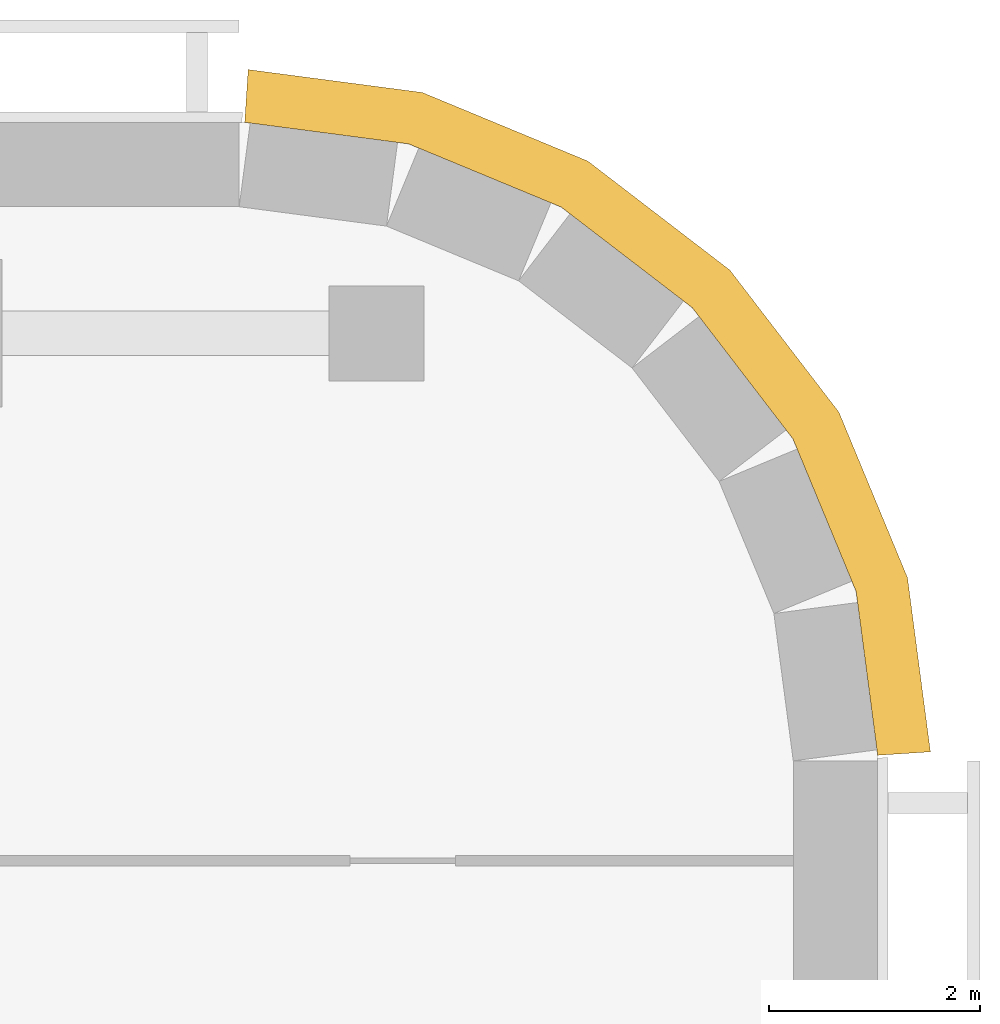
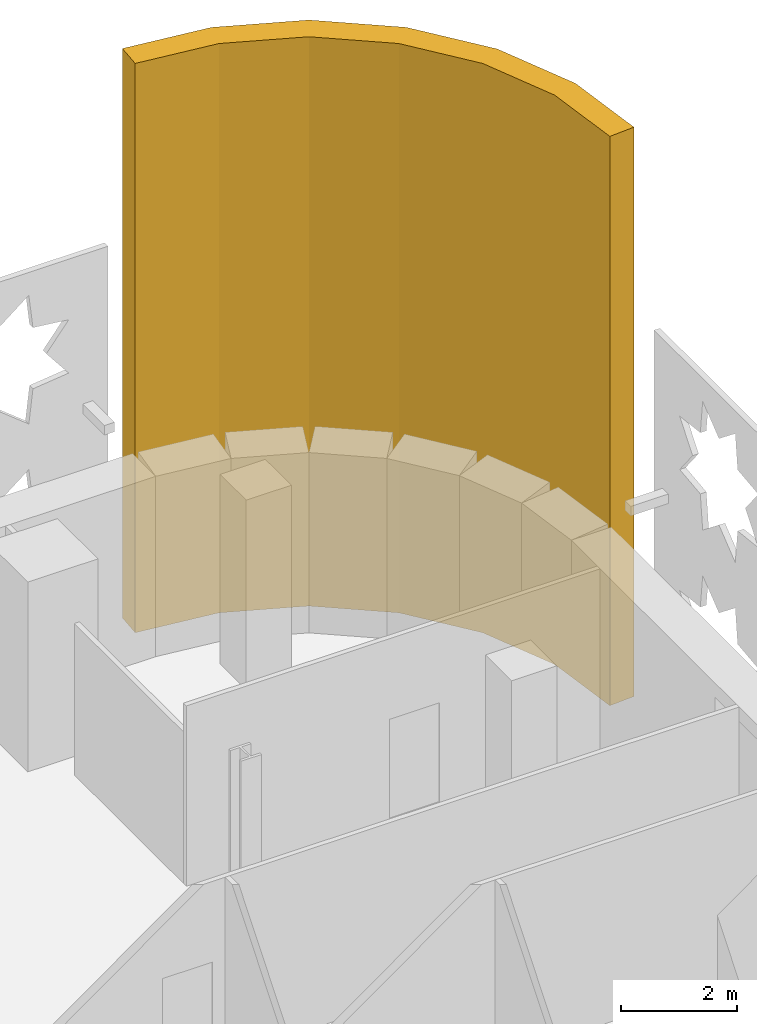
# One storey, part 14 of 14: 1 covering.
"""IFC4 building model written with IfcOpenShell, lengths in metres."""

import ifcopenshell
import ifcopenshell.guid

model = None  # the IFC model being written
_history = None  # IfcOwnerHistory: only IFC2X3 demands one
_inside = {}  # id of a spatial element -> (the spatial element, [elements in it])
_under = {}  # id of a project, library or spatial element -> (it, [spatial elements below it])
_declared = {}  # id of a project -> (the project, [libraries it declares])
_typed = {}  # id of a type object -> (the type object, [elements of that type])
_made_of = {}  # id of a material, layer set ... -> (it, [elements and type objects made of it])


def new_model(schema):
    """Start an empty IFC model of exactly this schema.

    Asked for "IFC4X3", IfcOpenShell would pick the latest addendum, in which some entities
    have other attributes; the version numbers below select the first issue.
    IFC2X3 requires an IfcOwnerHistory on every rooted entity: one is made here for all.
    """
    global model, _history
    if schema == "IFC4X3":
        model = ifcopenshell.file(schema_version=(4, 3, 0, 0))
    else:
        model = ifcopenshell.file(schema=schema)
    _inside.clear()
    _under.clear()
    _declared.clear()
    _typed.clear()
    _made_of.clear()
    _history = None
    if model.schema == "IFC2X3":
        org = make("IfcOrganization", Name="unknown")
        user = make(
            "IfcPersonAndOrganization",
            ThePerson=make("IfcPerson", FamilyName="unknown"),
            TheOrganization=org,
        )
        app = make(
            "IfcApplication",
            ApplicationDeveloper=org,
            Version="unknown",
            ApplicationFullName="unknown",
            ApplicationIdentifier="unknown",
        )
        _history = make(
            "IfcOwnerHistory",
            OwningUser=user,
            OwningApplication=app,
            ChangeAction="ADDED",
            CreationDate=0,
        )
    return model


def make(cls, **values):
    """One entity of the class cls with the attributes given. An attribute that is None is left unset."""
    return model.create_entity(
        cls, **{name: value for name, value in values.items() if value is not None}
    )


def rooted(cls, **values):
    """An entity with a GlobalId (a new one), such as an element, a storey or a relation."""
    return make(cls, GlobalId=ifcopenshell.guid.new(), OwnerHistory=_history, **values)


def si_unit(unit_type, name, prefix=None):
    """IfcSIUnit, for example si_unit("LENGTHUNIT", "METRE", prefix="MILLI")."""
    return make("IfcSIUnit", UnitType=unit_type, Prefix=prefix, Name=name)


def assignment(units):
    """IfcUnitAssignment: the units of a project."""
    return None if units is None else make("IfcUnitAssignment", Units=units)


def point(xyz):
    """IfcCartesianPoint."""
    return None if xyz is None else make("IfcCartesianPoint", Coordinates=xyz)


def direction(xyz):
    """IfcDirection."""
    return None if xyz is None else make("IfcDirection", DirectionRatios=xyz)


def frame(location, z_axis=None, x_axis=None):
    """IfcAxis2Placement3D, a coordinate frame: its origin and axes. An axis left out is left unset."""
    return make(
        "IfcAxis2Placement3D",
        Location=point(location),
        Axis=direction(z_axis),
        RefDirection=direction(x_axis),
    )


def origin():
    """The frame at (0, 0, 0) with its axes left unset."""
    return frame((0.0, 0.0, 0.0))


def place(relative_to, where):
    """IfcLocalPlacement: puts the frame where relative to a parent placement (None: the world)."""
    return make(
        "IfcLocalPlacement", PlacementRelTo=relative_to, RelativePlacement=where
    )


def context(
    kind, dimensions, precision=None, world=None, true_north=None, identifier=None
):
    """IfcGeometricRepresentationContext, for example the 3D "Model" context."""
    return make(
        "IfcGeometricRepresentationContext",
        ContextIdentifier=identifier,
        ContextType=kind,
        CoordinateSpaceDimension=dimensions,
        Precision=precision,
        WorldCoordinateSystem=world,
        TrueNorth=true_north,
    )


def subcontext(parent, identifier, kind, view, scale=None):
    """IfcGeometricRepresentationSubContext, for example "Body" below "Model"."""
    return make(
        "IfcGeometricRepresentationSubContext",
        ContextIdentifier=identifier,
        ContextType=kind,
        ParentContext=parent,
        TargetScale=scale,
        TargetView=view,
    )


def project(units=None, contexts=None):
    """IfcProject with its units and contexts."""
    return rooted(
        "IfcProject",
        Name="project",
        RepresentationContexts=contexts,
        UnitsInContext=assignment(units),
    )


def spatial(cls, under=None, at=None, **own):
    """A site, building, storey or space (cls), placed at a placement, below another one or the project."""
    s = rooted(cls, ObjectPlacement=at, **own)
    if under is not None:
        _under.setdefault(under.id(), (under, []))[1].append(s)
    return s


def polyline(points):
    """IfcPolyline through the points."""
    return make("IfcPolyline", Points=[point(p) for p in points])


def outline(outer, holes=None, kind="AREA"):
    """IfcArbitraryClosedProfileDef: a profile drawn as a closed curve; with holes, ...WithVoids."""
    if holes is None:
        return make("IfcArbitraryClosedProfileDef", ProfileType=kind, OuterCurve=outer)
    return make(
        "IfcArbitraryProfileDefWithVoids",
        ProfileType=kind,
        OuterCurve=outer,
        InnerCurves=holes,
    )


def extrude(swept, where, along, depth):
    """IfcExtrudedAreaSolid: the profile swept, set in the frame where, extruded along a direction by depth."""
    return make(
        "IfcExtrudedAreaSolid",
        SweptArea=swept,
        Position=where,
        ExtrudedDirection=direction(along),
        Depth=depth,
    )


def shape(context_of_items, identifier, shape_type, items):
    """IfcShapeRepresentation: the items that make up one representation, for example the "Body"."""
    return make(
        "IfcShapeRepresentation",
        ContextOfItems=context_of_items,
        RepresentationIdentifier=identifier,
        RepresentationType=shape_type,
        Items=items,
    )


def material(Name=None, Category=None):
    """IfcMaterial."""
    return make("IfcMaterial", Name=Name, Category=Category)


def layer(
    of_material, thickness, ventilated=None, Name=None, Category=None, Priority=None
):
    """IfcMaterialLayer: one layer of a wall or slab, of a material (None: an air gap)."""
    return make(
        "IfcMaterialLayer",
        Material=of_material,
        LayerThickness=thickness,
        IsVentilated=ventilated,
        Name=Name,
        Category=Category,
        Priority=Priority,
    )


def layer_set(layers, Name=None):
    """IfcMaterialLayerSet."""
    return make("IfcMaterialLayerSet", MaterialLayers=layers, LayerSetName=Name)


def made_of(thing, what):
    """Note that an element or type object is made of a material, layer set ...; save() writes the relation."""
    if what is not None:
        _made_of.setdefault(what.id(), (what, []))[1].append(thing)
    return thing


def type_object(cls, material=None, **own):
    """A type object (cls), such as IfcWallType, which elements share."""
    return made_of(rooted(cls, **own), material)


def element(
    cls,
    number,
    at=None,
    inside=None,
    cuts=None,
    type_object=None,
    material=None,
    context=None,
    identifier="Body",
    shape_type=None,
    held_by="IfcProductDefinitionShape",
    body=None,
    shapes=None,
    **own,
):
    """One element of the class cls, such as IfcWall. Its Tag is "e" and its number.

    at: its placement. inside: the storey or other place that contains it. cuts: it is an
    opening in that element (IfcRelVoidsElement). A single representation is given by context,
    identifier, shape_type and body (its items); several are given by shapes. held_by: the class
    of the entity that holds the representations. save() writes the other relations.
    """
    e = rooted(cls, Tag="e%d" % number, ObjectPlacement=at, **own)
    if body is not None:
        shapes = [shape(context, identifier, shape_type, body)]
    if shapes is not None:
        e.Representation = make(held_by, Representations=shapes)
    if inside is not None:
        _inside.setdefault(inside.id(), (inside, []))[1].append(e)
    if cuts is not None:
        rooted(
            "IfcRelVoidsElement", RelatingBuildingElement=cuts, RelatedOpeningElement=e
        )
    if type_object is not None:
        _typed.setdefault(type_object.id(), (type_object, []))[1].append(e)
    return made_of(e, material)


def aggregate(whole, parts):
    """IfcRelAggregates: a whole, such as a stair, and the parts it consists of."""
    return rooted("IfcRelAggregates", RelatingObject=whole, RelatedObjects=parts)


def save(model, path):
    """Write the relations noted so far, then the file.

    IfcRelAggregates (storeys below a building ...), IfcRelContainedInSpatialStructure (elements
    in a storey), IfcRelDefinesByType, IfcRelAssociatesMaterial and IfcRelDeclares: one each for
    every whole, place, type object, material and project.
    """
    for whole, parts in _under.values():
        aggregate(whole, parts)
    for where, things in _inside.values():
        rooted(
            "IfcRelContainedInSpatialStructure",
            RelatedElements=things,
            RelatingStructure=where,
        )
    for kind, things in _typed.values():
        rooted("IfcRelDefinesByType", RelatedObjects=things, RelatingType=kind)
    for what, things in _made_of.values():
        rooted("IfcRelAssociatesMaterial", RelatedObjects=things, RelatingMaterial=what)
    for by, libraries in _declared.values():
        rooted("IfcRelDeclares", RelatingContext=by, RelatedDefinitions=libraries)
    model.write(path)


model = new_model("IFC4")

# Units and contexts
model_context = context("Model", 3, precision=1e-05, world=origin(), true_north=direction((0.0, 1.0)))
body_context = subcontext(model_context, "Body", "Model", "MODEL_VIEW")
ifc_project = project(units=[si_unit("LENGTHUNIT", "METRE"), si_unit("AREAUNIT", "SQUARE_METRE"), si_unit("VOLUMEUNIT", "CUBIC_METRE"), si_unit("PLANEANGLEUNIT", "RADIAN"), si_unit("MASSUNIT", "GRAM", prefix="KILO")], contexts=[model_context])

# Site, building, storey
site_placement = place(None, origin())
site = spatial("IfcSite", under=ifc_project, at=site_placement, CompositionType="ELEMENT")
building_placement = place(site_placement, origin())
building = spatial("IfcBuilding", under=site, at=building_placement, Name="Zellij Exchange Tower", CompositionType="ELEMENT")
storey_placement = place(building_placement, frame((0.0, 0.0, 164.5)))
storey = spatial("IfcBuildingStorey", under=building, at=storey_placement, Name="L37", CompositionType="ELEMENT", Elevation=164.5)

# Covering
ifc_material = material(Name="Limestone cladding", Category="masonry")
ifc_layer = layer(ifc_material, 0.5)
ifc_layer_set = layer_set([ifc_layer], Name="Limestone cladding")
covering_type = type_object("IfcCoveringType", Name="ENV-CV12 Stone corner pier 500", PredefinedType="CLADDING", material=ifc_layer_set)
covering_placement = place(storey_placement, origin())
element("IfcCovering", 1, at=covering_placement, inside=storey, type_object=covering_type, Name="Stone corner pier", PredefinedType="CLADDING", context=body_context, shape_type="SweptSolid", body=[
    extrude(outline(polyline([(36.0, 25.0), (35.795654296875, 26.552978515625), (35.1962890625, 28.0), (34.24267578125, 29.24267578125), (33.0, 30.1962890625), (31.552978515625, 30.795654296875), (30.0, 31.0), (30.03271484375, 31.5), (31.683349609375, 31.28271484375), (33.252197265625, 30.6328125), (34.59912109375, 29.59912109375), (35.6328125, 28.252197265625), (36.28271484375, 26.683349609375), (36.5, 25.03271484375), (36.0, 25.0)])), origin(), (0.0, 0.0, 1.0), 12.0),
])

save(model, "model.ifc")
